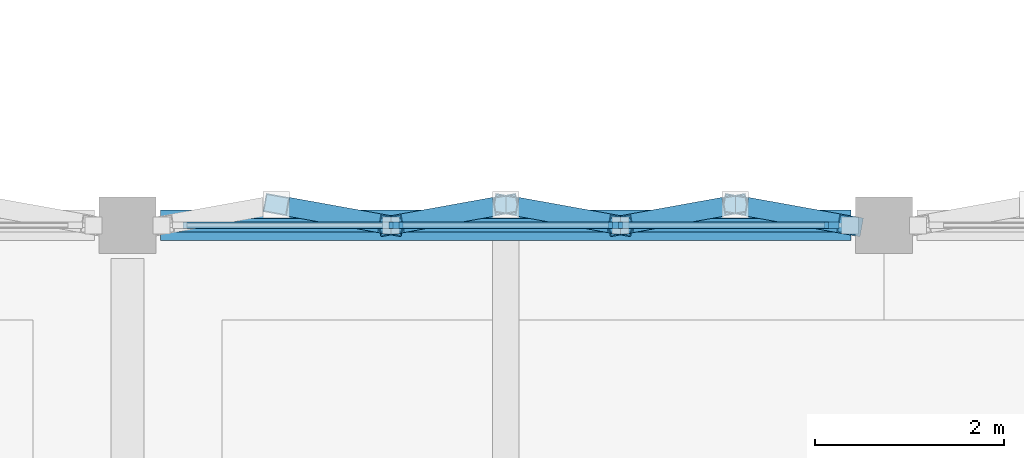
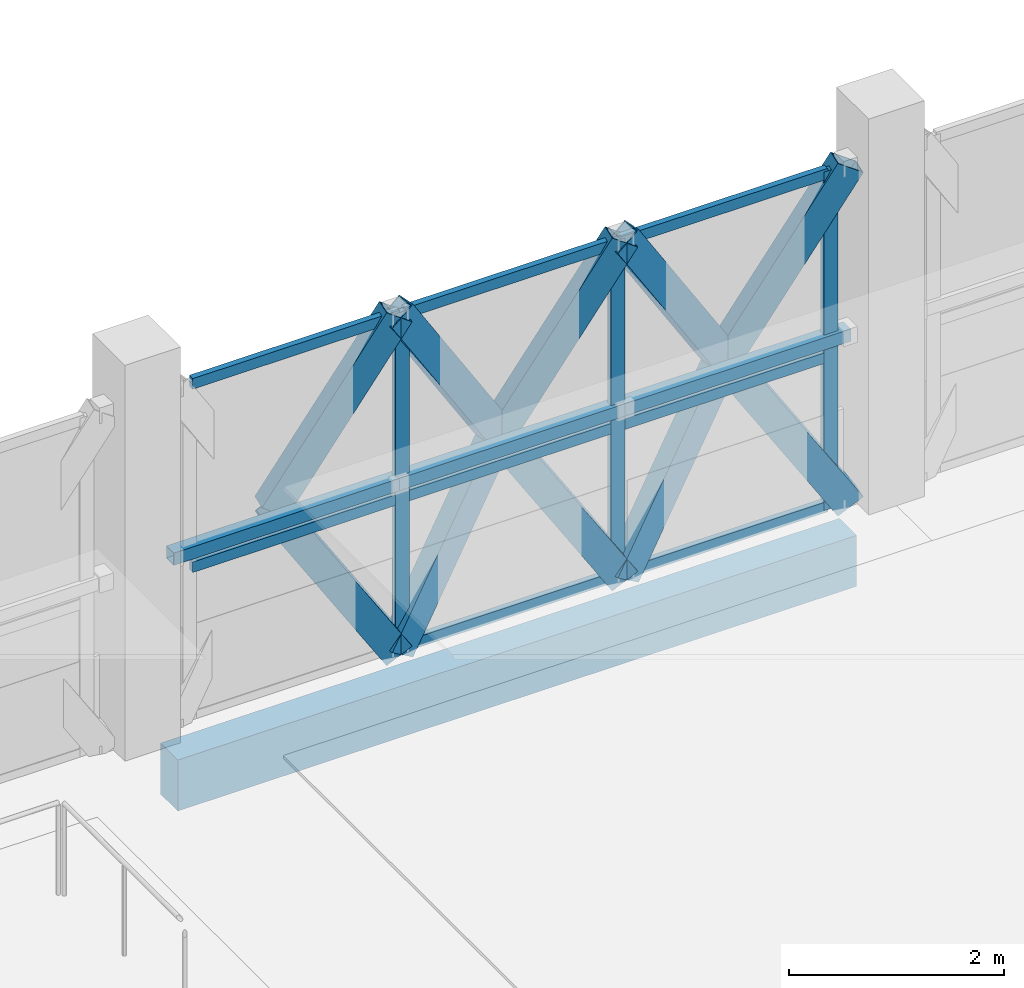
# One storey, part 13 of 43: 24 members, 1 beam, 1 element without a shape of its own.
"""IFC4 building model written with IfcOpenShell, lengths in metres."""

from ifc_helpers import new_model, si_unit, direction, frame, origin, origin_2d, place, context, subcontext, project, spatial, rectangle, hollow_rectangle, extrude, material, layer, layer_set, material_profile, profile_set, type_object, element, aggregate, save


model = new_model("IFC4")

# Units and contexts
model_context = context("Model", 3, precision=1e-05, world=origin(), true_north=direction((0.0, 1.0)))
body_context = subcontext(model_context, "Body", "Model", "MODEL_VIEW")
ifc_project = project(units=[si_unit("LENGTHUNIT", "METRE"), si_unit("AREAUNIT", "SQUARE_METRE"), si_unit("VOLUMEUNIT", "CUBIC_METRE"), si_unit("PLANEANGLEUNIT", "RADIAN"), si_unit("MASSUNIT", "GRAM", prefix="KILO")], contexts=[model_context])

# Site, building, storey
site_placement = place(None, origin())
site = spatial("IfcSite", under=ifc_project, at=site_placement, CompositionType="ELEMENT")
building_placement = place(site_placement, origin())
building = spatial("IfcBuilding", under=site, at=building_placement, Name="Qorikala Patio Media Centre", CompositionType="ELEMENT")
storey_placement = place(building_placement, frame((0.0, 0.0, 18.89990234375)))
storey = spatial("IfcBuildingStorey", under=building, at=storey_placement, Name="L04", CompositionType="ELEMENT", Elevation=18.89990234375)

# Members
ifc_material_1 = material(Name="Golden Bronze Coated Steel S355", Category="steel")
ifc_material_profile_1 = material_profile(ifc_material_1, hollow_rectangle(XDim=0.139892578125, YDim=0.139892578125, WallThickness=0.006103515625, at=origin_2d()), Name="HSS140X140X6")
ifc_profile_set_1 = profile_set([ifc_material_profile_1], Name="Golden Bronze Coated Steel S355")
member_type_1 = type_object("IfcMemberType", Name="BRACE-DIA140", PredefinedType="BRACE", material=ifc_profile_set_1)
member_1_placement = place(storey_placement, frame((59.360107421875, 27.0, 1.925048828125), z_axis=(1.0, 0.0, 0.0), x_axis=(0.0, 1.0, 0.0)))
element("IfcMember", 1, at=member_1_placement, inside=storey, type_object=member_type_1, Name="L04 Diamond Fold Tie 148", PredefinedType="BRACE", context=body_context, shape_type="SweptSolid", body=[
    extrude(hollow_rectangle(XDim=0.139892578125, YDim=0.139892578125, WallThickness=0.006103515625, at=origin_2d()), origin(), (0.0, 0.0, 1.0), 2.426513671875),
])
member_2_placement = place(storey_placement, frame((61.78662109375, 27.0, 1.925048828125), z_axis=(1.0, 0.0, 0.0), x_axis=(0.0, 1.0, 0.0)))
element("IfcMember", 2, at=member_2_placement, inside=storey, type_object=member_type_1, Name="L04 Diamond Fold Tie 149", PredefinedType="BRACE", context=body_context, shape_type="SweptSolid", body=[
    extrude(hollow_rectangle(XDim=0.139892578125, YDim=0.139892578125, WallThickness=0.006103515625, at=origin_2d()), origin(), (0.0, 0.0, 1.0), 2.4267578125),
])
member_3_placement = place(storey_placement, frame((64.21337890625, 27.0, 1.925048828125), z_axis=(1.0, 0.0, 0.0), x_axis=(0.0, 1.0, 0.0)))
element("IfcMember", 3, at=member_3_placement, inside=storey, type_object=member_type_1, Name="L04 Diamond Fold Tie 150", PredefinedType="BRACE", context=body_context, shape_type="SweptSolid", body=[
    extrude(hollow_rectangle(XDim=0.139892578125, YDim=0.139892578125, WallThickness=0.006103515625, at=origin_2d()), origin(), (0.0, 0.0, 1.0), 2.426513671875),
])

# Curtain wall, members
ifc_material_2 = material(Name="Golden Bronze Anodised Aluminium and Low-E Glass", Category="aluminium")
ifc_layer = layer(ifc_material_2, 0.159912109375)
ifc_layer_set = layer_set([ifc_layer], Name="Golden Bronze Anodised Aluminium and Low-E Glass")
curtain_wall_type = type_object("IfcCurtainWallType", Name="CW-DIA-696X385", PredefinedType="USERDEFINED", material=ifc_layer_set)
curtain_wall_placement = place(storey_placement, origin())
curtain_wall = element("IfcCurtainWall", 4, at=curtain_wall_placement, inside=storey, type_object=curtain_wall_type, Name="L04 Courtyard Curtain Wall 091", ObjectType="COURTYARD CURTAIN WALL", PredefinedType="USERDEFINED")
ifc_material_3 = material(Name="Golden Bronze Anodised Aluminium", Category="aluminium")
ifc_material_profile_2 = material_profile(ifc_material_3, rectangle(XDim=0.06494140625, YDim=0.14990234375, at=origin_2d()), Name="ALU MULLION 65x150")
ifc_profile_set_2 = profile_set([ifc_material_profile_2], Name="Golden Bronze Anodised Aluminium")
member_type_2 = type_object("IfcMemberType", Name="CWM-65X150", PredefinedType="MULLION", material=ifc_profile_set_2)
member_4_placement = place(storey_placement, frame((61.840087890625, 27.0, 0.0), z_axis=(0.0, 0.0, 1.0), x_axis=(0.0, 1.0, 0.0)))
member_4 = element("IfcMember", 5, at=member_4_placement, type_object=member_type_2, Name="CWD696385 mullion 2", PredefinedType="MULLION", context=body_context, shape_type="SweptSolid", body=[
    extrude(rectangle(XDim=0.06494140625, YDim=0.14990234375, at=origin_2d()), origin(), (0.0, 0.0, 1.0), 3.85009765625),
])
member_5_placement = place(storey_placement, frame((64.159912109375, 27.0, 0.0), z_axis=(0.0, 0.0, 1.0), x_axis=(0.0, 1.0, 0.0)))
member_5 = element("IfcMember", 6, at=member_5_placement, type_object=member_type_2, Name="CWD696385 mullion 3", PredefinedType="MULLION", context=body_context, shape_type="SweptSolid", body=[
    extrude(rectangle(XDim=0.06494140625, YDim=0.14990234375, at=origin_2d()), origin(), (0.0, 0.0, 1.0), 3.85009765625),
])
member_6_placement = place(storey_placement, frame((66.447509765625, 27.0, 0.0), z_axis=(0.0, 0.0, 1.0), x_axis=(0.0, 1.0, 0.0)))
member_6 = element("IfcMember", 7, at=member_6_placement, type_object=member_type_2, Name="CWD696385 mullion 4", PredefinedType="MULLION", context=body_context, shape_type="SweptSolid", body=[
    extrude(rectangle(XDim=0.06494140625, YDim=0.14990234375, at=origin_2d()), origin(), (0.0, 0.0, 1.0), 3.85009765625),
])
ifc_material_profile_3 = material_profile(ifc_material_3, rectangle(XDim=0.06494140625, YDim=0.1201171875, at=origin_2d()), Name="ALU TRANSOM 65x120")
ifc_profile_set_3 = profile_set([ifc_material_profile_3], Name="Golden Bronze Anodised Aluminium")
member_type_3 = type_object("IfcMemberType", Name="CWT-65X120", PredefinedType="USERDEFINED", material=ifc_profile_set_3)
member_7_placement = place(storey_placement, frame((59.5849609375, 27.0, 1.732666015625), z_axis=(1.0, 0.0, 0.0), x_axis=(0.0, 1.0, 0.0)))
member_7 = element("IfcMember", 8, at=member_7_placement, type_object=member_type_3, Name="CWD696385 transom 1.2", ObjectType="TRANSOM", PredefinedType="USERDEFINED", context=body_context, shape_type="SweptSolid", body=[
    extrude(rectangle(XDim=0.06494140625, YDim=0.1201171875, at=origin_2d()), origin(), (0.0, 0.0, 1.0), 2.22265625),
])
member_8_placement = place(storey_placement, frame((59.5849609375, 27.0, 3.817626953125), z_axis=(1.0, 0.0, 0.0), x_axis=(0.0, 1.0, 0.0)))
member_8 = element("IfcMember", 9, at=member_8_placement, type_object=member_type_3, Name="CWD696385 transom 1.3", ObjectType="TRANSOM", PredefinedType="USERDEFINED", context=body_context, shape_type="SweptSolid", body=[
    extrude(rectangle(XDim=0.06494140625, YDim=0.1201171875, at=origin_2d()), origin(), (0.0, 0.0, 1.0), 2.22265625),
])
member_9_placement = place(storey_placement, frame((61.87255859375, 27.0, 0.03271484375), z_axis=(1.0, 0.0, 0.0), x_axis=(0.0, 1.0, 0.0)))
member_9 = element("IfcMember", 10, at=member_9_placement, type_object=member_type_3, Name="CWD696385 transom 2.1", ObjectType="TRANSOM", PredefinedType="USERDEFINED", context=body_context, shape_type="SweptSolid", body=[
    extrude(rectangle(XDim=0.06494140625, YDim=0.1201171875, at=origin_2d()), origin(), (0.0, 0.0, 1.0), 2.2548828125),
])
member_10_placement = place(storey_placement, frame((61.87255859375, 27.0, 1.732666015625), z_axis=(1.0, 0.0, 0.0), x_axis=(0.0, 1.0, 0.0)))
member_10 = element("IfcMember", 11, at=member_10_placement, type_object=member_type_3, Name="CWD696385 transom 2.2", ObjectType="TRANSOM", PredefinedType="USERDEFINED", context=body_context, shape_type="SweptSolid", body=[
    extrude(rectangle(XDim=0.06494140625, YDim=0.1201171875, at=origin_2d()), origin(), (0.0, 0.0, 1.0), 2.2548828125),
])
member_11_placement = place(storey_placement, frame((61.87255859375, 27.0, 3.817626953125), z_axis=(1.0, 0.0, 0.0), x_axis=(0.0, 1.0, 0.0)))
member_11 = element("IfcMember", 12, at=member_11_placement, type_object=member_type_3, Name="CWD696385 transom 2.3", ObjectType="TRANSOM", PredefinedType="USERDEFINED", context=body_context, shape_type="SweptSolid", body=[
    extrude(rectangle(XDim=0.06494140625, YDim=0.1201171875, at=origin_2d()), origin(), (0.0, 0.0, 1.0), 2.2548828125),
])
member_12_placement = place(storey_placement, frame((64.1923828125, 27.0, 0.03271484375), z_axis=(1.0, 0.0, 0.0), x_axis=(0.0, 1.0, 0.0)))
member_12 = element("IfcMember", 13, at=member_12_placement, type_object=member_type_3, Name="CWD696385 transom 3.1", ObjectType="TRANSOM", PredefinedType="USERDEFINED", context=body_context, shape_type="SweptSolid", body=[
    extrude(rectangle(XDim=0.06494140625, YDim=0.1201171875, at=origin_2d()), origin(), (0.0, 0.0, 1.0), 2.22265625),
])
member_13_placement = place(storey_placement, frame((64.1923828125, 27.0, 1.732666015625), z_axis=(1.0, 0.0, 0.0), x_axis=(0.0, 1.0, 0.0)))
member_13 = element("IfcMember", 14, at=member_13_placement, type_object=member_type_3, Name="CWD696385 transom 3.2", ObjectType="TRANSOM", PredefinedType="USERDEFINED", context=body_context, shape_type="SweptSolid", body=[
    extrude(rectangle(XDim=0.06494140625, YDim=0.1201171875, at=origin_2d()), origin(), (0.0, 0.0, 1.0), 2.22265625),
])
member_14_placement = place(storey_placement, frame((64.1923828125, 27.0, 3.817626953125), z_axis=(1.0, 0.0, 0.0), x_axis=(0.0, 1.0, 0.0)))
member_14 = element("IfcMember", 15, at=member_14_placement, type_object=member_type_3, Name="CWD696385 transom 3.3", ObjectType="TRANSOM", PredefinedType="USERDEFINED", context=body_context, shape_type="SweptSolid", body=[
    extrude(rectangle(XDim=0.06494140625, YDim=0.1201171875, at=origin_2d()), origin(), (0.0, 0.0, 1.0), 2.22265625),
])
aggregate(curtain_wall, [member_4, member_5, member_6, member_7, member_8, member_9, member_10, member_11, member_12, member_13, member_14])

# Beam
ifc_material_4 = material(Name="Concrete C35/45", Category="concrete")
ifc_material_profile_4 = material_profile(ifc_material_4, rectangle(XDim=0.320068359375, YDim=0.580078125, at=origin_2d()), Name="RC 320x580")
ifc_profile_set_4 = profile_set([ifc_material_profile_4], Name="Concrete C35/45")
beam_type = type_object("IfcBeamType", Name="SP-320X580", PredefinedType="SPANDREL", material=ifc_profile_set_4)
beam_placement = place(storey_placement, frame((59.35009765625, 27.0, -0.58984375), z_axis=(1.0, 0.0, 0.0), x_axis=(0.0, 1.0, 0.0)))
element("IfcBeam", 16, at=beam_placement, inside=storey, type_object=beam_type, Name="L04 Grid 27 Beam 1356", PredefinedType="SPANDREL", context=body_context, shape_type="SweptSolid", body=[
    extrude(rectangle(XDim=0.320068359375, YDim=0.580078125, at=origin_2d()), origin(), (0.0, 0.0, 1.0), 7.2998046875),
])

# Members
ifc_material_profile_5 = material_profile(ifc_material_1, hollow_rectangle(XDim=0.199951171875, YDim=0.300048828125, WallThickness=0.011962890625, at=origin_2d()), Name="HSS300X200X12")
ifc_profile_set_5 = profile_set([ifc_material_profile_5], Name="Golden Bronze Coated Steel S355")
member_type_4 = type_object("IfcMemberType", Name="STRUT-DIA300", PredefinedType="STRUT", material=ifc_profile_set_5)
for number, where, z_axis, x_axis, name in (
    (17, (61.78662109375, 27.0, 0.0), (-0.530768093717, 0.095901357778, 0.842073726148), (-0.177805036072, -0.98406573416, 0.0), "L04 Diamond Foyer Fold Strut 148-DL2"),
    (18, (60.5732421875, 27.21923828125, 1.925048828125), (0.530768093717, -0.095901357778, 0.842073726148), (0.177805036072, 0.98406573416, 0.0), "L04 Diamond Foyer Fold Strut 148-DU2"),
    (19, (61.78662109375, 27.0, 0.0), (0.530768093717, 0.095901357778, 0.842073726148), (-0.177805036072, 0.98406573416, 0.0), "L04 Diamond Foyer Fold Strut 149-DL1"),
    (20, (64.21337890625, 27.0, 0.0), (-0.530768093717, 0.095901357778, 0.842073726148), (-0.177805036072, -0.98406573416, 0.0), "L04 Diamond Foyer Fold Strut 149-DL2"),
    (21, (63.0, 27.21923828125, 1.925048828125), (-0.530768093717, -0.095901357778, 0.842073726148), (0.177805036072, -0.98406573416, 0.0), "L04 Diamond Foyer Fold Strut 149-DU1"),
    (22, (63.0, 27.21923828125, 1.925048828125), (0.530768093717, -0.095901357778, 0.842073726148), (0.177805036072, 0.98406573416, 0.0), "L04 Diamond Foyer Fold Strut 149-DU2"),
    (23, (64.21337890625, 27.0, 0.0), (0.530768093717, 0.095901357778, 0.842073726148), (-0.177805036072, 0.98406573416, 0.0), "L04 Diamond Foyer Fold Strut 150-DL1"),
):
    element("IfcMember", number, at=place(storey_placement, frame(where, z_axis=z_axis, x_axis=x_axis)), inside=storey, type_object=member_type_4, Name=name, PredefinedType="STRUT", context=body_context, shape_type="SweptSolid", body=[
        extrude(hollow_rectangle(XDim=0.199951171875, YDim=0.300048828125, WallThickness=0.011962890625, at=origin_2d()), origin(), (0.0, 0.0, 1.0), 2.2861328125),
    ])
member_15_placement = place(storey_placement, frame((66.639892578125, 27.0, 0.0), z_axis=(-0.530691378365, 0.095906793675, 0.842121456713), x_axis=(-0.17783968734, -0.984059472596, 0.0)))
element("IfcMember", 24, at=member_15_placement, inside=storey, type_object=member_type_4, Name="L04 Diamond Foyer Fold Strut 150-DL2", PredefinedType="STRUT", context=body_context, shape_type="SweptSolid", body=[
    extrude(hollow_rectangle(XDim=0.199951171875, YDim=0.300048828125, WallThickness=0.011962890625, at=origin_2d()), origin(), (0.0, 0.0, 1.0), 2.285888671875),
])
member_16_placement = place(storey_placement, frame((65.4267578125, 27.21923828125, 1.925048828125), z_axis=(-0.530768093717, -0.095901357778, 0.842073726148), x_axis=(0.177805036072, -0.98406573416, 0.0)))
element("IfcMember", 25, at=member_16_placement, inside=storey, type_object=member_type_4, Name="L04 Diamond Foyer Fold Strut 150-DU1", PredefinedType="STRUT", context=body_context, shape_type="SweptSolid", body=[
    extrude(hollow_rectangle(XDim=0.199951171875, YDim=0.300048828125, WallThickness=0.011962890625, at=origin_2d()), origin(), (0.0, 0.0, 1.0), 2.2861328125),
])
member_17_placement = place(storey_placement, frame((65.4267578125, 27.21923828125, 1.925048828125), z_axis=(0.530691378365, -0.095906793675, 0.842121456713), x_axis=(0.17783968734, 0.984059472596, 0.0)))
element("IfcMember", 26, at=member_17_placement, inside=storey, type_object=member_type_4, Name="L04 Diamond Foyer Fold Strut 150-DU2", PredefinedType="STRUT", context=body_context, shape_type="SweptSolid", body=[
    extrude(hollow_rectangle(XDim=0.199951171875, YDim=0.300048828125, WallThickness=0.011962890625, at=origin_2d()), origin(), (0.0, 0.0, 1.0), 2.285888671875),
])

save(model, "model.ifc")
